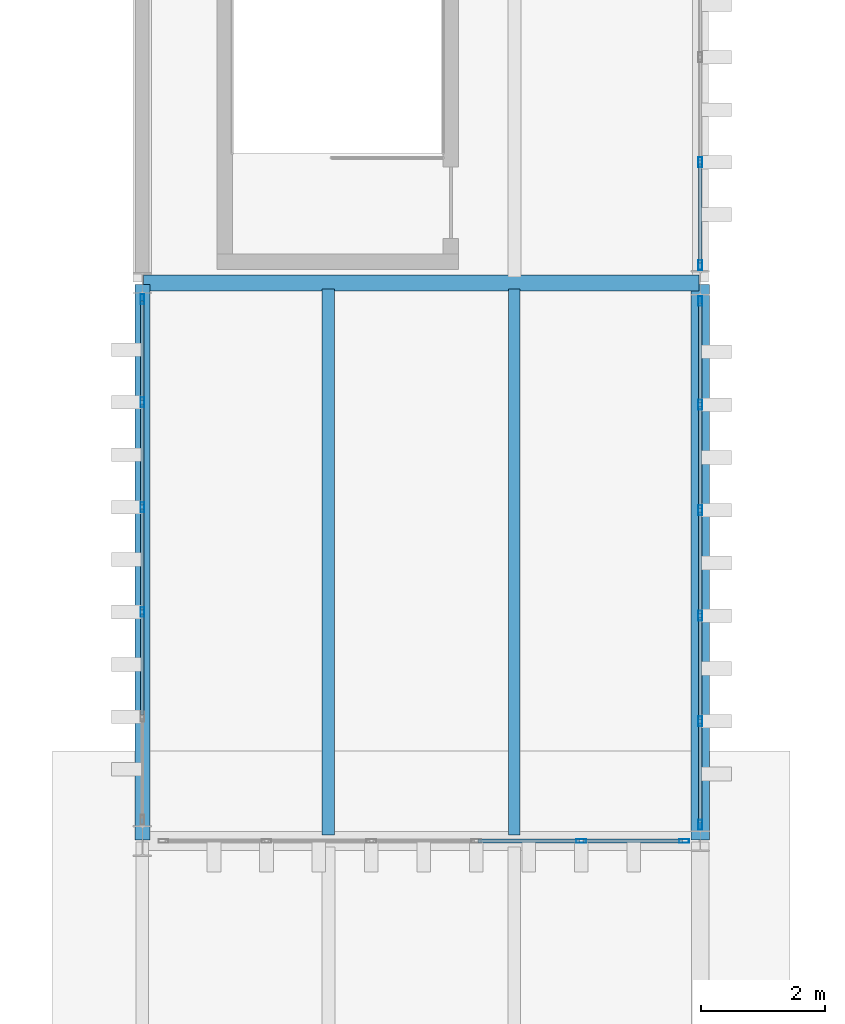
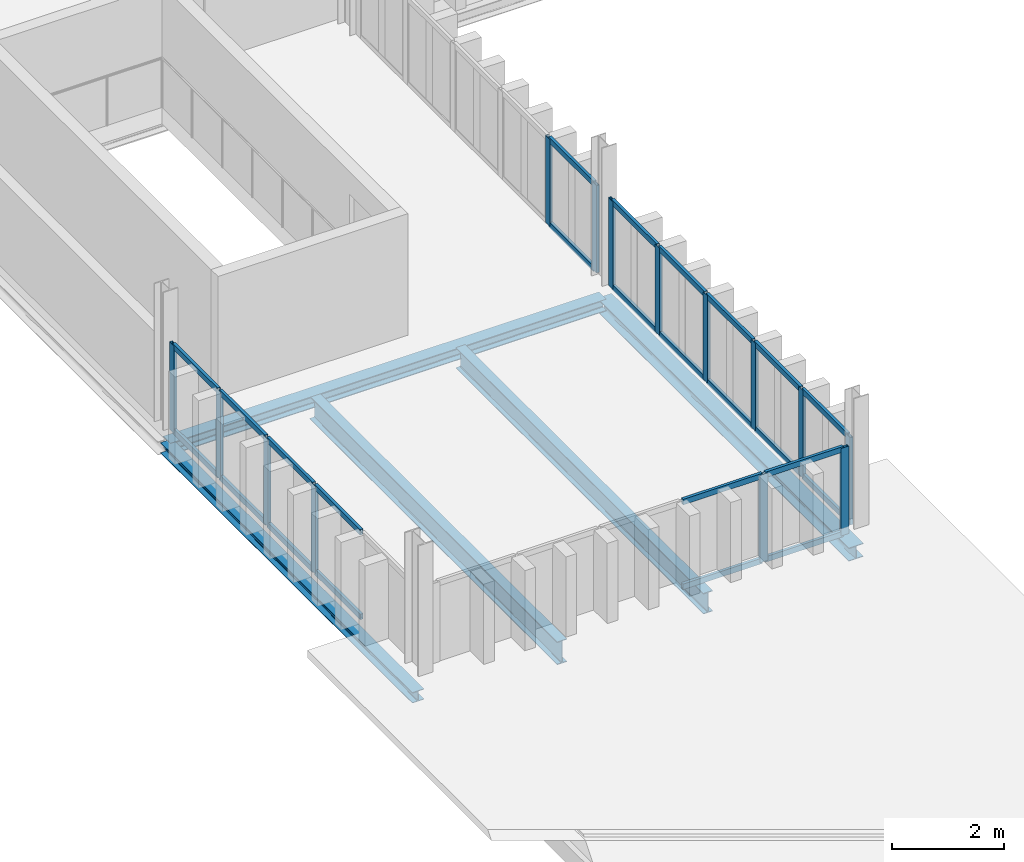
# One storey, part 26 of 58: 38 members, 5 beams, 4 elements without a shape of their own.
"""IFC4 building model written with IfcOpenShell, lengths in metres."""

from ifc_helpers import new_model, si_unit, direction, frame, origin, origin_2d, place, context, subcontext, project, spatial, hollow_rectangle, i_section, extrude, material, layer, layer_set, material_profile, profile_set, type_object, element, aggregate, save


model = new_model("IFC4")

# Units and contexts
model_context = context("Model", 3, precision=1e-05, world=origin(), true_north=direction((0.0, 1.0)))
body_context = subcontext(model_context, "Body", "Model", "MODEL_VIEW")
ifc_project = project(units=[si_unit("LENGTHUNIT", "METRE"), si_unit("AREAUNIT", "SQUARE_METRE"), si_unit("VOLUMEUNIT", "CUBIC_METRE"), si_unit("PLANEANGLEUNIT", "RADIAN"), si_unit("MASSUNIT", "GRAM", prefix="KILO")], contexts=[model_context])

# Site, building, storey
site_placement = place(None, origin())
site = spatial("IfcSite", under=ifc_project, at=site_placement, CompositionType="ELEMENT")
building_placement = place(site_placement, origin())
building = spatial("IfcBuilding", under=site, at=building_placement, Name="Barlavento Convention Centre", CompositionType="ELEMENT")
storey_placement = place(building_placement, frame((0.0, 0.0, 26.800048828125)))
storey = spatial("IfcBuildingStorey", under=building, at=storey_placement, Name="L05", CompositionType="ELEMENT", Elevation=26.800048828125)

# Curtain wall, members
ifc_material_1 = material(Name="Powder-coated aluminium and Low-E glass", Category="aluminium")
ifc_layer = layer(ifc_material_1, 0.18994140625)
ifc_layer_set = layer_set([ifc_layer], Name="ARC-CW-CONF-L05")
curtain_wall_type = type_object("IfcCurtainWallType", Name="ARC-CW-CONF-L05", PredefinedType="NOTDEFINED", material=ifc_layer_set)
curtain_wall_1_placement = place(storey_placement, origin())
curtain_wall_1 = element("IfcCurtainWall", 1, at=curtain_wall_1_placement, inside=storey, type_object=curtain_wall_type, Name="L05 unitised curtain wall CW10", PredefinedType="NOTDEFINED")
ifc_material_2 = material(Name="Powder-coated aluminium", Category="aluminium")
ifc_material_profile_1 = material_profile(ifc_material_2, hollow_rectangle(XDim=0.06005859375, YDim=0.159912109375, WallThickness=0.00390625, at=origin_2d()), Name="AL-MULL 60x160x4")
ifc_profile_set_1 = profile_set([ifc_material_profile_1], Name="Powder-coated aluminium")
member_type_1 = type_object("IfcMemberType", Name="ARC-CWM-60X160", PredefinedType="MULLION", material=ifc_profile_set_1)
member_1_placement = place(storey_placement, frame((135.0, 72.260009765625, 0.0), z_axis=(0.0, 0.0, 1.0), x_axis=(-1.0, 0.0, 0.0)))
member_1 = element("IfcMember", 2, at=member_1_placement, type_object=member_type_1, Name="CW10 mullion 1", PredefinedType="MULLION", context=body_context, shape_type="SweptSolid", body=[
    extrude(hollow_rectangle(XDim=0.06005859375, YDim=0.159912109375, WallThickness=0.00390625, at=origin_2d()), origin(), (0.0, 0.0, 1.0), 1.89990234375),
])
member_2_placement = place(storey_placement, frame((135.0, 73.931884765625, 0.0), z_axis=(0.0, 0.0, 1.0), x_axis=(-1.0, 0.0, 0.0)))
member_2 = element("IfcMember", 3, at=member_2_placement, type_object=member_type_1, Name="CW10 mullion 2", PredefinedType="MULLION", context=body_context, shape_type="SweptSolid", body=[
    extrude(hollow_rectangle(XDim=0.06005859375, YDim=0.159912109375, WallThickness=0.00390625, at=origin_2d()), origin(), (0.0, 0.0, 1.0), 1.89990234375),
])
member_3_placement = place(storey_placement, frame((135.0, 75.634033203125, 0.0), z_axis=(0.0, 0.0, 1.0), x_axis=(-1.0, 0.0, 0.0)))
member_3 = element("IfcMember", 4, at=member_3_placement, type_object=member_type_1, Name="CW10 mullion 3", PredefinedType="MULLION", context=body_context, shape_type="SweptSolid", body=[
    extrude(hollow_rectangle(XDim=0.06005859375, YDim=0.159912109375, WallThickness=0.00390625, at=origin_2d()), origin(), (0.0, 0.0, 1.0), 1.89990234375),
])
member_4_placement = place(storey_placement, frame((135.0, 77.3359375, 0.0), z_axis=(0.0, 0.0, 1.0), x_axis=(-1.0, 0.0, 0.0)))
member_4 = element("IfcMember", 5, at=member_4_placement, type_object=member_type_1, Name="CW10 mullion 4", PredefinedType="MULLION", context=body_context, shape_type="SweptSolid", body=[
    extrude(hollow_rectangle(XDim=0.06005859375, YDim=0.159912109375, WallThickness=0.00390625, at=origin_2d()), origin(), (0.0, 0.0, 1.0), 1.89990234375),
])
member_5_placement = place(storey_placement, frame((135.0, 79.0380859375, 0.0), z_axis=(0.0, 0.0, 1.0), x_axis=(-1.0, 0.0, 0.0)))
member_5 = element("IfcMember", 6, at=member_5_placement, type_object=member_type_1, Name="CW10 mullion 5", PredefinedType="MULLION", context=body_context, shape_type="SweptSolid", body=[
    extrude(hollow_rectangle(XDim=0.06005859375, YDim=0.159912109375, WallThickness=0.00390625, at=origin_2d()), origin(), (0.0, 0.0, 1.0), 1.89990234375),
])
member_6_placement = place(storey_placement, frame((135.0, 80.7099609375, 0.0), z_axis=(0.0, 0.0, 1.0), x_axis=(-1.0, 0.0, 0.0)))
member_6 = element("IfcMember", 7, at=member_6_placement, type_object=member_type_1, Name="CW10 mullion 6", PredefinedType="MULLION", context=body_context, shape_type="SweptSolid", body=[
    extrude(hollow_rectangle(XDim=0.06005859375, YDim=0.159912109375, WallThickness=0.00390625, at=origin_2d()), origin(), (0.0, 0.0, 1.0), 1.89990234375),
])

curtain_wall_2_placement = place(storey_placement, origin())
curtain_wall_2 = element("IfcCurtainWall", 8, at=curtain_wall_2_placement, inside=storey, type_object=curtain_wall_type, Name="L05 unitised curtain wall CW10", PredefinedType="NOTDEFINED")
member_7_placement = place(storey_placement, frame((135.0, 81.2900390625, 0.0), z_axis=(0.0, 0.0, 1.0), x_axis=(-1.0, 0.0, 0.0)))
member_7 = element("IfcMember", 9, at=member_7_placement, type_object=member_type_1, Name="CW10 mullion 1", PredefinedType="MULLION", context=body_context, shape_type="SweptSolid", body=[
    extrude(hollow_rectangle(XDim=0.06005859375, YDim=0.159912109375, WallThickness=0.00390625, at=origin_2d()), origin(), (0.0, 0.0, 1.0), 1.89990234375),
])
member_8_placement = place(storey_placement, frame((135.0, 82.950927734375, 0.0), z_axis=(0.0, 0.0, 1.0), x_axis=(-1.0, 0.0, 0.0)))
member_8 = element("IfcMember", 10, at=member_8_placement, type_object=member_type_1, Name="CW10 mullion 2", PredefinedType="MULLION", context=body_context, shape_type="SweptSolid", body=[
    extrude(hollow_rectangle(XDim=0.06005859375, YDim=0.159912109375, WallThickness=0.00390625, at=origin_2d()), origin(), (0.0, 0.0, 1.0), 1.89990234375),
])

curtain_wall_3_placement = place(storey_placement, origin())
curtain_wall_3 = element("IfcCurtainWall", 11, at=curtain_wall_3_placement, inside=storey, type_object=curtain_wall_type, Name="L05 unitised curtain wall CW10", PredefinedType="NOTDEFINED")
member_9_placement = place(storey_placement, frame((133.077880859375, 72.0, 0.0), z_axis=(0.0, 0.0, 1.0), x_axis=(0.0, 1.0, 0.0)))
member_9 = element("IfcMember", 12, at=member_9_placement, type_object=member_type_1, Name="CW10 mullion 5", PredefinedType="MULLION", context=body_context, shape_type="SweptSolid", body=[
    extrude(hollow_rectangle(XDim=0.06005859375, YDim=0.159912109375, WallThickness=0.00390625, at=origin_2d()), origin(), (0.0, 0.0, 1.0), 1.89990234375),
])
member_10_placement = place(storey_placement, frame((134.739990234375, 72.0, 0.0), z_axis=(0.0, 0.0, 1.0), x_axis=(0.0, 1.0, 0.0)))
member_10 = element("IfcMember", 13, at=member_10_placement, type_object=member_type_1, Name="CW10 mullion 6", PredefinedType="MULLION", context=body_context, shape_type="SweptSolid", body=[
    extrude(hollow_rectangle(XDim=0.06005859375, YDim=0.159912109375, WallThickness=0.00390625, at=origin_2d()), origin(), (0.0, 0.0, 1.0), 1.89990234375),
])

curtain_wall_4_placement = place(storey_placement, origin())
curtain_wall_4 = element("IfcCurtainWall", 14, at=curtain_wall_4_placement, inside=storey, type_object=curtain_wall_type, Name="L05 unitised curtain wall CW10", PredefinedType="NOTDEFINED")
member_11_placement = place(storey_placement, frame((126.0, 75.694091796875, 0.0), z_axis=(0.0, 0.0, 1.0), x_axis=(-1.0, 0.0, 0.0)))
member_11 = element("IfcMember", 15, at=member_11_placement, type_object=member_type_1, Name="CW10 mullion 3", PredefinedType="MULLION", context=body_context, shape_type="SweptSolid", body=[
    extrude(hollow_rectangle(XDim=0.06005859375, YDim=0.159912109375, WallThickness=0.00390625, at=origin_2d()), origin(), (0.0, 0.0, 1.0), 1.89990234375),
])
member_12_placement = place(storey_placement, frame((126.0, 77.385986328125, 0.0), z_axis=(0.0, 0.0, 1.0), x_axis=(-1.0, 0.0, 0.0)))
member_12 = element("IfcMember", 16, at=member_12_placement, type_object=member_type_1, Name="CW10 mullion 4", PredefinedType="MULLION", context=body_context, shape_type="SweptSolid", body=[
    extrude(hollow_rectangle(XDim=0.06005859375, YDim=0.159912109375, WallThickness=0.00390625, at=origin_2d()), origin(), (0.0, 0.0, 1.0), 1.89990234375),
])
member_13_placement = place(storey_placement, frame((126.0, 79.077880859375, 0.0), z_axis=(0.0, 0.0, 1.0), x_axis=(-1.0, 0.0, 0.0)))
member_13 = element("IfcMember", 17, at=member_13_placement, type_object=member_type_1, Name="CW10 mullion 5", PredefinedType="MULLION", context=body_context, shape_type="SweptSolid", body=[
    extrude(hollow_rectangle(XDim=0.06005859375, YDim=0.159912109375, WallThickness=0.00390625, at=origin_2d()), origin(), (0.0, 0.0, 1.0), 1.89990234375),
])
member_14_placement = place(storey_placement, frame((126.0, 80.739990234375, 0.0), z_axis=(0.0, 0.0, 1.0), x_axis=(-1.0, 0.0, 0.0)))
member_14 = element("IfcMember", 18, at=member_14_placement, type_object=member_type_1, Name="CW10 mullion 6", PredefinedType="MULLION", context=body_context, shape_type="SweptSolid", body=[
    extrude(hollow_rectangle(XDim=0.06005859375, YDim=0.159912109375, WallThickness=0.00390625, at=origin_2d()), origin(), (0.0, 0.0, 1.0), 1.89990234375),
])

# Member
ifc_material_profile_2 = material_profile(ifc_material_2, hollow_rectangle(XDim=0.06005859375, YDim=0.1201171875, WallThickness=0.00390625, at=origin_2d()), Name="AL-TRAN 60x120x4")
ifc_profile_set_2 = profile_set([ifc_material_profile_2], Name="Powder-coated aluminium")
member_type_2 = type_object("IfcMemberType", Name="ARC-CWT-60X120", PredefinedType="USERDEFINED", material=ifc_profile_set_2)
member_15_placement = place(storey_placement, frame((135.0, 72.2900390625, 0.030029296875), z_axis=(0.0, 1.0, 0.0), x_axis=(-1.0, 0.0, 0.0)))
member_15 = element("IfcMember", 19, at=member_15_placement, type_object=member_type_2, Name="CW10 transom 1.1", ObjectType="TRANSOM", PredefinedType="USERDEFINED", context=body_context, shape_type="SweptSolid", body=[
    extrude(hollow_rectangle(XDim=0.06005859375, YDim=0.1201171875, WallThickness=0.00390625, at=origin_2d()), origin(), (0.0, 0.0, 1.0), 1.612060546875),
])

member_16_placement = place(storey_placement, frame((135.0, 72.2900390625, 1.869873046875), z_axis=(0.0, 1.0, 0.0), x_axis=(-1.0, 0.0, 0.0)))
member_16 = element("IfcMember", 20, at=member_16_placement, type_object=member_type_2, Name="CW10 transom 1.2", ObjectType="TRANSOM", PredefinedType="USERDEFINED", context=body_context, shape_type="SweptSolid", body=[
    extrude(hollow_rectangle(XDim=0.06005859375, YDim=0.1201171875, WallThickness=0.00390625, at=origin_2d()), origin(), (0.0, 0.0, 1.0), 1.612060546875),
])

member_17_placement = place(storey_placement, frame((135.0, 73.9619140625, 0.030029296875), z_axis=(0.0, 1.0, 0.0), x_axis=(-1.0, 0.0, 0.0)))
member_17 = element("IfcMember", 21, at=member_17_placement, type_object=member_type_2, Name="CW10 transom 2.1", ObjectType="TRANSOM", PredefinedType="USERDEFINED", context=body_context, shape_type="SweptSolid", body=[
    extrude(hollow_rectangle(XDim=0.06005859375, YDim=0.1201171875, WallThickness=0.00390625, at=origin_2d()), origin(), (0.0, 0.0, 1.0), 1.64208984375),
])

member_18_placement = place(storey_placement, frame((135.0, 73.9619140625, 1.869873046875), z_axis=(0.0, 1.0, 0.0), x_axis=(-1.0, 0.0, 0.0)))
member_18 = element("IfcMember", 22, at=member_18_placement, type_object=member_type_2, Name="CW10 transom 2.2", ObjectType="TRANSOM", PredefinedType="USERDEFINED", context=body_context, shape_type="SweptSolid", body=[
    extrude(hollow_rectangle(XDim=0.06005859375, YDim=0.1201171875, WallThickness=0.00390625, at=origin_2d()), origin(), (0.0, 0.0, 1.0), 1.64208984375),
])

member_19_placement = place(storey_placement, frame((135.0, 75.6640625, 0.030029296875), z_axis=(0.0, 1.0, 0.0), x_axis=(-1.0, 0.0, 0.0)))
member_19 = element("IfcMember", 23, at=member_19_placement, type_object=member_type_2, Name="CW10 transom 3.1", ObjectType="TRANSOM", PredefinedType="USERDEFINED", context=body_context, shape_type="SweptSolid", body=[
    extrude(hollow_rectangle(XDim=0.06005859375, YDim=0.1201171875, WallThickness=0.00390625, at=origin_2d()), origin(), (0.0, 0.0, 1.0), 1.641845703125),
])

member_20_placement = place(storey_placement, frame((135.0, 75.6640625, 1.869873046875), z_axis=(0.0, 1.0, 0.0), x_axis=(-1.0, 0.0, 0.0)))
member_20 = element("IfcMember", 24, at=member_20_placement, type_object=member_type_2, Name="CW10 transom 3.2", ObjectType="TRANSOM", PredefinedType="USERDEFINED", context=body_context, shape_type="SweptSolid", body=[
    extrude(hollow_rectangle(XDim=0.06005859375, YDim=0.1201171875, WallThickness=0.00390625, at=origin_2d()), origin(), (0.0, 0.0, 1.0), 1.641845703125),
])

member_21_placement = place(storey_placement, frame((135.0, 77.365966796875, 0.030029296875), z_axis=(0.0, 1.0, 0.0), x_axis=(-1.0, 0.0, 0.0)))
member_21 = element("IfcMember", 25, at=member_21_placement, type_object=member_type_2, Name="CW10 transom 4.1", ObjectType="TRANSOM", PredefinedType="USERDEFINED", context=body_context, shape_type="SweptSolid", body=[
    extrude(hollow_rectangle(XDim=0.06005859375, YDim=0.1201171875, WallThickness=0.00390625, at=origin_2d()), origin(), (0.0, 0.0, 1.0), 1.64208984375),
])

member_22_placement = place(storey_placement, frame((135.0, 77.365966796875, 1.869873046875), z_axis=(0.0, 1.0, 0.0), x_axis=(-1.0, 0.0, 0.0)))
member_22 = element("IfcMember", 26, at=member_22_placement, type_object=member_type_2, Name="CW10 transom 4.2", ObjectType="TRANSOM", PredefinedType="USERDEFINED", context=body_context, shape_type="SweptSolid", body=[
    extrude(hollow_rectangle(XDim=0.06005859375, YDim=0.1201171875, WallThickness=0.00390625, at=origin_2d()), origin(), (0.0, 0.0, 1.0), 1.64208984375),
])

member_23_placement = place(storey_placement, frame((135.0, 79.068115234375, 0.030029296875), z_axis=(0.0, 1.0, 0.0), x_axis=(-1.0, 0.0, 0.0)))
member_23 = element("IfcMember", 27, at=member_23_placement, type_object=member_type_2, Name="CW10 transom 5.1", ObjectType="TRANSOM", PredefinedType="USERDEFINED", context=body_context, shape_type="SweptSolid", body=[
    extrude(hollow_rectangle(XDim=0.06005859375, YDim=0.1201171875, WallThickness=0.00390625, at=origin_2d()), origin(), (0.0, 0.0, 1.0), 1.61181640625),
])

member_24_placement = place(storey_placement, frame((135.0, 79.068115234375, 1.869873046875), z_axis=(0.0, 1.0, 0.0), x_axis=(-1.0, 0.0, 0.0)))
member_24 = element("IfcMember", 28, at=member_24_placement, type_object=member_type_2, Name="CW10 transom 5.2", ObjectType="TRANSOM", PredefinedType="USERDEFINED", context=body_context, shape_type="SweptSolid", body=[
    extrude(hollow_rectangle(XDim=0.06005859375, YDim=0.1201171875, WallThickness=0.00390625, at=origin_2d()), origin(), (0.0, 0.0, 1.0), 1.61181640625),
])

aggregate(curtain_wall_1, [member_1, member_2, member_3, member_4, member_5, member_6, member_15, member_16, member_17, member_18, member_19, member_20, member_21, member_22, member_23, member_24])

member_25_placement = place(storey_placement, frame((135.0, 81.320068359375, 0.030029296875), z_axis=(0.0, 1.0, 0.0), x_axis=(-1.0, 0.0, 0.0)))
member_25 = element("IfcMember", 29, at=member_25_placement, type_object=member_type_2, Name="CW10 transom 1.1", ObjectType="TRANSOM", PredefinedType="USERDEFINED", context=body_context, shape_type="SweptSolid", body=[
    extrude(hollow_rectangle(XDim=0.06005859375, YDim=0.1201171875, WallThickness=0.00390625, at=origin_2d()), origin(), (0.0, 0.0, 1.0), 1.600830078125),
])

member_26_placement = place(storey_placement, frame((135.0, 81.320068359375, 1.869873046875), z_axis=(0.0, 1.0, 0.0), x_axis=(-1.0, 0.0, 0.0)))
member_26 = element("IfcMember", 30, at=member_26_placement, type_object=member_type_2, Name="CW10 transom 1.2", ObjectType="TRANSOM", PredefinedType="USERDEFINED", context=body_context, shape_type="SweptSolid", body=[
    extrude(hollow_rectangle(XDim=0.06005859375, YDim=0.1201171875, WallThickness=0.00390625, at=origin_2d()), origin(), (0.0, 0.0, 1.0), 1.600830078125),
])

aggregate(curtain_wall_2, [member_7, member_8, member_25, member_26])

member_27_placement = place(storey_placement, frame((131.416015625, 72.0, 0.030029296875), z_axis=(1.0, 0.0, 0.0), x_axis=(0.0, 1.0, 0.0)))
member_27 = element("IfcMember", 31, at=member_27_placement, type_object=member_type_2, Name="CW10 transom 4.1", ObjectType="TRANSOM", PredefinedType="USERDEFINED", context=body_context, shape_type="SweptSolid", body=[
    extrude(hollow_rectangle(XDim=0.06005859375, YDim=0.1201171875, WallThickness=0.00390625, at=origin_2d()), origin(), (0.0, 0.0, 1.0), 1.632080078125),
])

member_28_placement = place(storey_placement, frame((131.416015625, 72.0, 1.869873046875), z_axis=(1.0, 0.0, 0.0), x_axis=(0.0, 1.0, 0.0)))
member_28 = element("IfcMember", 32, at=member_28_placement, type_object=member_type_2, Name="CW10 transom 4.2", ObjectType="TRANSOM", PredefinedType="USERDEFINED", context=body_context, shape_type="SweptSolid", body=[
    extrude(hollow_rectangle(XDim=0.06005859375, YDim=0.1201171875, WallThickness=0.00390625, at=origin_2d()), origin(), (0.0, 0.0, 1.0), 1.632080078125),
])

member_29_placement = place(storey_placement, frame((133.10791015625, 72.0, 0.030029296875), z_axis=(1.0, 0.0, 0.0), x_axis=(0.0, 1.0, 0.0)))
member_29 = element("IfcMember", 33, at=member_29_placement, type_object=member_type_2, Name="CW10 transom 5.1", ObjectType="TRANSOM", PredefinedType="USERDEFINED", context=body_context, shape_type="SweptSolid", body=[
    extrude(hollow_rectangle(XDim=0.06005859375, YDim=0.1201171875, WallThickness=0.00390625, at=origin_2d()), origin(), (0.0, 0.0, 1.0), 1.60205078125),
])

member_30_placement = place(storey_placement, frame((133.10791015625, 72.0, 1.869873046875), z_axis=(1.0, 0.0, 0.0), x_axis=(0.0, 1.0, 0.0)))
member_30 = element("IfcMember", 34, at=member_30_placement, type_object=member_type_2, Name="CW10 transom 5.2", ObjectType="TRANSOM", PredefinedType="USERDEFINED", context=body_context, shape_type="SweptSolid", body=[
    extrude(hollow_rectangle(XDim=0.06005859375, YDim=0.1201171875, WallThickness=0.00390625, at=origin_2d()), origin(), (0.0, 0.0, 1.0), 1.60205078125),
])

aggregate(curtain_wall_3, [member_9, member_10, member_27, member_28, member_29, member_30])

member_31_placement = place(storey_placement, frame((126.0, 74.031982421875, 0.030029296875), z_axis=(0.0, 1.0, 0.0), x_axis=(-1.0, 0.0, 0.0)))
member_31 = element("IfcMember", 35, at=member_31_placement, type_object=member_type_2, Name="CW10 transom 2.1", ObjectType="TRANSOM", PredefinedType="USERDEFINED", context=body_context, shape_type="SweptSolid", body=[
    extrude(hollow_rectangle(XDim=0.06005859375, YDim=0.1201171875, WallThickness=0.00390625, at=origin_2d()), origin(), (0.0, 0.0, 1.0), 1.632080078125),
])

member_32_placement = place(storey_placement, frame((126.0, 74.031982421875, 1.869873046875), z_axis=(0.0, 1.0, 0.0), x_axis=(-1.0, 0.0, 0.0)))
member_32 = element("IfcMember", 36, at=member_32_placement, type_object=member_type_2, Name="CW10 transom 2.2", ObjectType="TRANSOM", PredefinedType="USERDEFINED", context=body_context, shape_type="SweptSolid", body=[
    extrude(hollow_rectangle(XDim=0.06005859375, YDim=0.1201171875, WallThickness=0.00390625, at=origin_2d()), origin(), (0.0, 0.0, 1.0), 1.632080078125),
])

member_33_placement = place(storey_placement, frame((126.0, 75.72412109375, 0.030029296875), z_axis=(0.0, 1.0, 0.0), x_axis=(-1.0, 0.0, 0.0)))
member_33 = element("IfcMember", 37, at=member_33_placement, type_object=member_type_2, Name="CW10 transom 3.1", ObjectType="TRANSOM", PredefinedType="USERDEFINED", context=body_context, shape_type="SweptSolid", body=[
    extrude(hollow_rectangle(XDim=0.06005859375, YDim=0.1201171875, WallThickness=0.00390625, at=origin_2d()), origin(), (0.0, 0.0, 1.0), 1.6318359375),
])

member_34_placement = place(storey_placement, frame((126.0, 75.72412109375, 1.869873046875), z_axis=(0.0, 1.0, 0.0), x_axis=(-1.0, 0.0, 0.0)))
member_34 = element("IfcMember", 38, at=member_34_placement, type_object=member_type_2, Name="CW10 transom 3.2", ObjectType="TRANSOM", PredefinedType="USERDEFINED", context=body_context, shape_type="SweptSolid", body=[
    extrude(hollow_rectangle(XDim=0.06005859375, YDim=0.1201171875, WallThickness=0.00390625, at=origin_2d()), origin(), (0.0, 0.0, 1.0), 1.6318359375),
])

member_35_placement = place(storey_placement, frame((126.0, 77.416015625, 0.030029296875), z_axis=(0.0, 1.0, 0.0), x_axis=(-1.0, 0.0, 0.0)))
member_35 = element("IfcMember", 39, at=member_35_placement, type_object=member_type_2, Name="CW10 transom 4.1", ObjectType="TRANSOM", PredefinedType="USERDEFINED", context=body_context, shape_type="SweptSolid", body=[
    extrude(hollow_rectangle(XDim=0.06005859375, YDim=0.1201171875, WallThickness=0.00390625, at=origin_2d()), origin(), (0.0, 0.0, 1.0), 1.632080078125),
])

member_36_placement = place(storey_placement, frame((126.0, 77.416015625, 1.869873046875), z_axis=(0.0, 1.0, 0.0), x_axis=(-1.0, 0.0, 0.0)))
member_36 = element("IfcMember", 40, at=member_36_placement, type_object=member_type_2, Name="CW10 transom 4.2", ObjectType="TRANSOM", PredefinedType="USERDEFINED", context=body_context, shape_type="SweptSolid", body=[
    extrude(hollow_rectangle(XDim=0.06005859375, YDim=0.1201171875, WallThickness=0.00390625, at=origin_2d()), origin(), (0.0, 0.0, 1.0), 1.632080078125),
])

member_37_placement = place(storey_placement, frame((126.0, 79.10791015625, 0.030029296875), z_axis=(0.0, 1.0, 0.0), x_axis=(-1.0, 0.0, 0.0)))
member_37 = element("IfcMember", 41, at=member_37_placement, type_object=member_type_2, Name="CW10 transom 5.1", ObjectType="TRANSOM", PredefinedType="USERDEFINED", context=body_context, shape_type="SweptSolid", body=[
    extrude(hollow_rectangle(XDim=0.06005859375, YDim=0.1201171875, WallThickness=0.00390625, at=origin_2d()), origin(), (0.0, 0.0, 1.0), 1.60205078125),
])

member_38_placement = place(storey_placement, frame((126.0, 79.10791015625, 1.869873046875), z_axis=(0.0, 1.0, 0.0), x_axis=(-1.0, 0.0, 0.0)))
member_38 = element("IfcMember", 42, at=member_38_placement, type_object=member_type_2, Name="CW10 transom 5.2", ObjectType="TRANSOM", PredefinedType="USERDEFINED", context=body_context, shape_type="SweptSolid", body=[
    extrude(hollow_rectangle(XDim=0.06005859375, YDim=0.1201171875, WallThickness=0.00390625, at=origin_2d()), origin(), (0.0, 0.0, 1.0), 1.60205078125),
])

aggregate(curtain_wall_4, [member_11, member_12, member_13, member_14, member_31, member_32, member_33, member_34, member_35, member_36, member_37, member_38])

# Beams
ifc_material_3 = material(Name="Steel S355", Category="steel")
ifc_material_profile_3 = material_profile(ifc_material_3, i_section(OverallWidth=0.18994140625, OverallDepth=0.449951171875, WebThickness=0.009521484375, FlangeThickness=0.0146484375, FilletRadius=0.02099609375, at=origin_2d()), Name="IPE 450")
ifc_profile_set_3 = profile_set([ifc_material_profile_3], Name="Steel S355")
beam_type_1 = type_object("IfcBeamType", Name="STR-BM-JST-IPE450", PredefinedType="JOIST", material=ifc_profile_set_3)
beam_1_placement = place(storey_placement, frame((132.0, 72.094970703125, -0.5849609375), z_axis=(0.0, 1.0, 0.0), x_axis=(-1.0, 0.0, 0.0)))
element("IfcBeam", 43, at=beam_1_placement, inside=storey, type_object=beam_type_1, Name="L05 composite floor joist SJ03", PredefinedType="JOIST", context=body_context, shape_type="SweptSolid", body=[
    extrude(i_section(OverallWidth=0.18994140625, OverallDepth=0.449951171875, WebThickness=0.009521484375, FlangeThickness=0.0146484375, FilletRadius=0.02099609375, at=origin_2d()), origin(), (0.0, 0.0, 1.0), 8.81005859375),
])
ifc_material_profile_4 = material_profile(ifc_material_3, i_section(OverallWidth=0.199951171875, OverallDepth=0.5, WebThickness=0.01025390625, FlangeThickness=0.01611328125, FilletRadius=0.02099609375, at=origin_2d()), Name="IPE 500")
ifc_profile_set_4 = profile_set([ifc_material_profile_4], Name="Steel S355")
beam_type_2 = type_object("IfcBeamType", Name="STR-BM-JST-IPE500", PredefinedType="JOIST", material=ifc_profile_set_4)
beam_2_placement = place(storey_placement, frame((129.0, 72.094970703125, -0.610107421875), z_axis=(0.0, 1.0, 0.0), x_axis=(-1.0, 0.0, 0.0)))
element("IfcBeam", 44, at=beam_2_placement, inside=storey, type_object=beam_type_2, Name="L05 composite floor joist SJ02", PredefinedType="JOIST", context=body_context, shape_type="SweptSolid", body=[
    extrude(i_section(OverallWidth=0.199951171875, OverallDepth=0.5, WebThickness=0.01025390625, FlangeThickness=0.01611328125, FilletRadius=0.02099609375, at=origin_2d()), origin(), (0.0, 0.0, 1.0), 8.81005859375),
])
ifc_material_profile_5 = material_profile(ifc_material_3, i_section(OverallWidth=0.260009765625, OverallDepth=0.260009765625, WebThickness=0.010009765625, FlangeThickness=0.017578125, FilletRadius=0.02392578125, at=origin_2d()), Name="HEB 260")
ifc_profile_set_5 = profile_set([ifc_material_profile_5], Name="Steel S355")
beam_type_3 = type_object("IfcBeamType", Name="STR-BM-PRI-HEB260", PredefinedType="BEAM", material=ifc_profile_set_5)
beam_3_placement = place(storey_placement, frame((126.02001953125, 81.0, -0.489990234375), z_axis=(1.0, 0.0, 0.0), x_axis=(0.0, 1.0, 0.0)))
element("IfcBeam", 45, at=beam_3_placement, inside=storey, type_object=beam_type_3, Name="L05 primary girder BG16", PredefinedType="BEAM", context=body_context, shape_type="SweptSolid", body=[
    extrude(i_section(OverallWidth=0.260009765625, OverallDepth=0.260009765625, WebThickness=0.010009765625, FlangeThickness=0.017578125, FilletRadius=0.02392578125, at=origin_2d()), origin(), (0.0, 0.0, 1.0), 8.9599609375),
])
ifc_material_profile_6 = material_profile(ifc_material_3, i_section(OverallWidth=0.239990234375, OverallDepth=0.22998046875, WebThickness=0.007568359375, FlangeThickness=0.011962890625, FilletRadius=0.02099609375, at=origin_2d()), Name="HEA 240")
ifc_profile_set_6 = profile_set([ifc_material_profile_6], Name="Steel S355")
beam_type_4 = type_object("IfcBeamType", Name="STR-BM-SPN-HEA240", PredefinedType="SPANDREL", material=ifc_profile_set_6)
beam_4_placement = place(storey_placement, frame((126.0, 72.02001953125, -0.47509765625), z_axis=(0.0, 1.0, 0.0), x_axis=(-1.0, 0.0, 0.0)))
element("IfcBeam", 46, at=beam_4_placement, inside=storey, type_object=beam_type_4, Name="L05 grid girder SP05", PredefinedType="SPANDREL", context=body_context, shape_type="SweptSolid", body=[
    extrude(i_section(OverallWidth=0.239990234375, OverallDepth=0.22998046875, WebThickness=0.007568359375, FlangeThickness=0.011962890625, FilletRadius=0.02099609375, at=origin_2d()), origin(), (0.0, 0.0, 1.0), 8.9599609375),
])
ifc_material_profile_7 = material_profile(ifc_material_3, i_section(OverallWidth=0.300048828125, OverallDepth=0.2900390625, WebThickness=0.008544921875, FlangeThickness=0.013916015625, FilletRadius=0.027099609375, at=origin_2d()), Name="HEA 300")
ifc_profile_set_7 = profile_set([ifc_material_profile_7], Name="Steel S355")
beam_type_5 = type_object("IfcBeamType", Name="STR-BM-SPN-HEA300", PredefinedType="SPANDREL", material=ifc_profile_set_7)
beam_5_placement = place(storey_placement, frame((135.0, 72.02001953125, -0.505126953125), z_axis=(0.0, 1.0, 0.0), x_axis=(-1.0, 0.0, 0.0)))
element("IfcBeam", 47, at=beam_5_placement, inside=storey, type_object=beam_type_5, Name="L05 grid girder SP02", PredefinedType="SPANDREL", context=body_context, shape_type="SweptSolid", body=[
    extrude(i_section(OverallWidth=0.300048828125, OverallDepth=0.2900390625, WebThickness=0.008544921875, FlangeThickness=0.013916015625, FilletRadius=0.027099609375, at=origin_2d()), origin(), (0.0, 0.0, 1.0), 8.9599609375),
])

save(model, "model.ifc")
